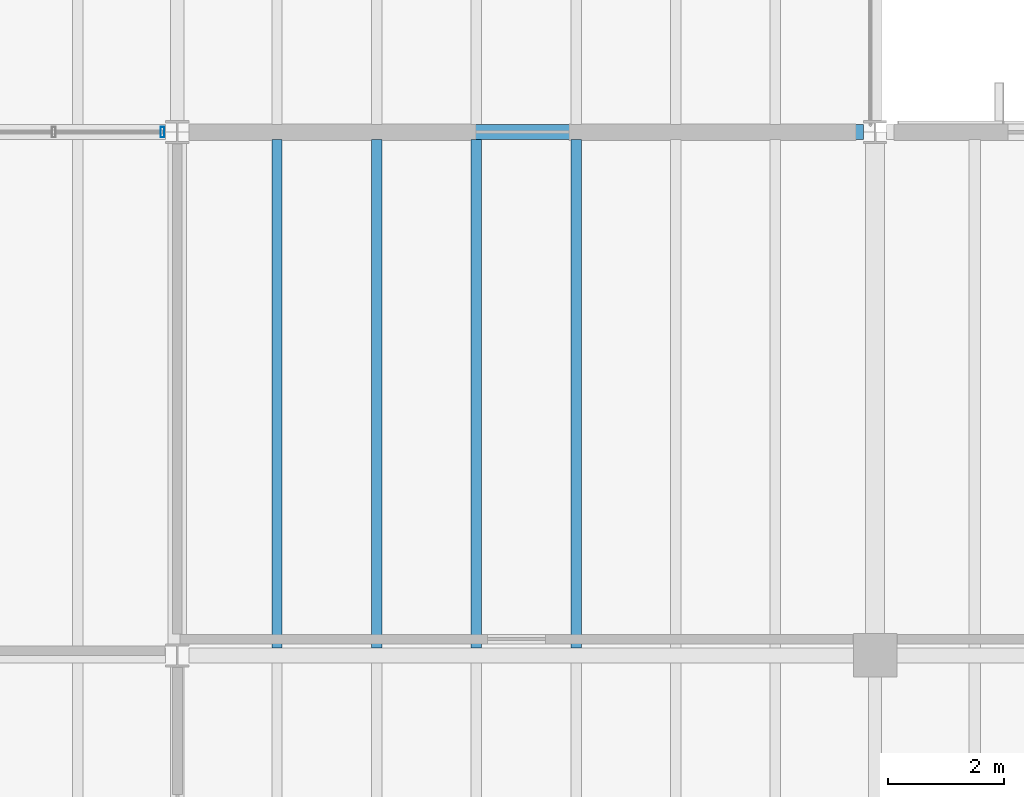
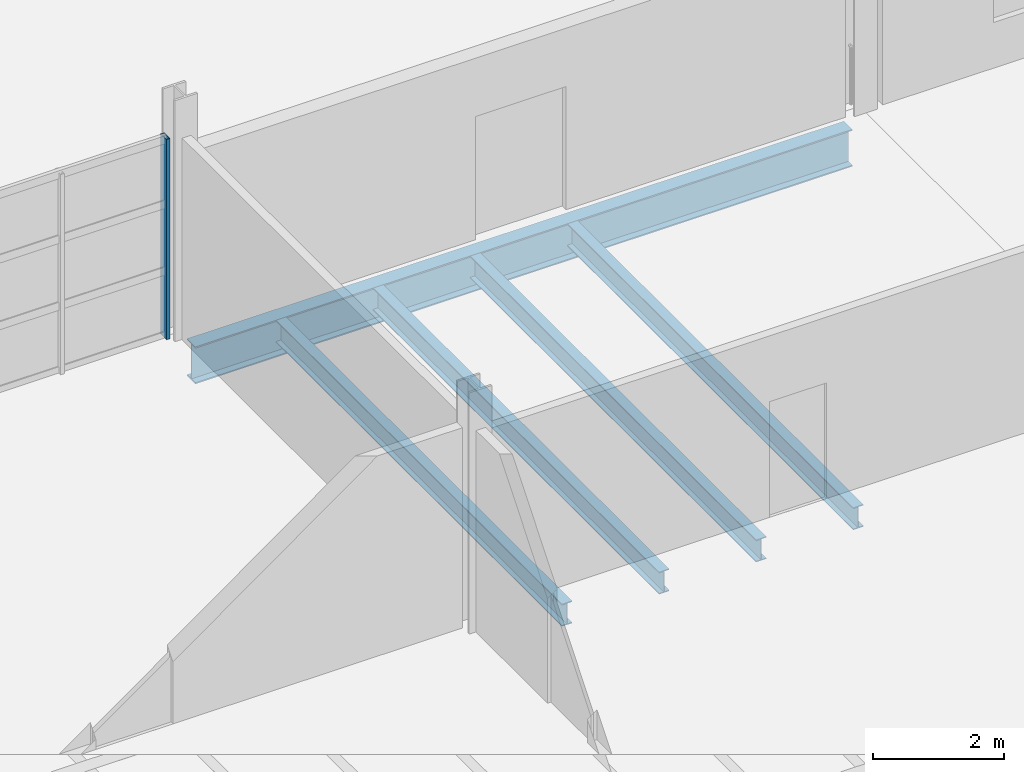
# One storey, part 34 of 78: 5 beams, 1 member, 1 element without a shape of its own.
"""IFC4 building model written with IfcOpenShell, lengths in metres."""

from ifc_helpers import new_model, si_unit, direction, frame, origin, origin_2d, place, context, subcontext, project, spatial, hollow_rectangle, i_section, extrude, material, material_profile, profile_set, type_object, element, aggregate, save


model = new_model("IFC4")

# Units and contexts
model_context = context("Model", 3, precision=1e-05, world=origin(), true_north=direction((0.0, 1.0)))
body_context = subcontext(model_context, "Body", "Model", "MODEL_VIEW")
ifc_project = project(units=[si_unit("LENGTHUNIT", "METRE"), si_unit("AREAUNIT", "SQUARE_METRE"), si_unit("VOLUMEUNIT", "CUBIC_METRE"), si_unit("PLANEANGLEUNIT", "RADIAN"), si_unit("MASSUNIT", "GRAM", prefix="KILO")], contexts=[model_context])

# Site, building, storey
site_placement = place(None, origin())
site = spatial("IfcSite", under=ifc_project, at=site_placement, CompositionType="ELEMENT")
building_placement = place(site_placement, origin())
building = spatial("IfcBuilding", under=site, at=building_placement, Name="Kelmvaro Bay Concert Hall", CompositionType="ELEMENT")
storey_placement = place(building_placement, frame((0.0, 0.0, 9.300048828125)))
storey = spatial("IfcBuildingStorey", under=building, at=storey_placement, Name="L02", CompositionType="ELEMENT", Elevation=9.300048828125)

# Curtain wall, member
ifc_material_1 = material(Name="Anodised Aluminium and Low-E Insulated Glazing", Category="aluminium")
curtain_wall_type = type_object("IfcCurtainWallType", Name="Upper Salon Waterfront Curtain Wall 4050", PredefinedType="USERDEFINED", material=ifc_material_1)
curtain_wall_placement = place(storey_placement, origin())
curtain_wall = element("IfcCurtainWall", 1, at=curtain_wall_placement, inside=storey, type_object=curtain_wall_type, Name="Unitised Curtain Wall CW-L02-098", ObjectType="UNITISED GLAZING", PredefinedType="USERDEFINED")
ifc_material_2 = material(Name="Anodised Extruded Aluminium 6063-T6", Category="aluminium")
ifc_material_profile_1 = material_profile(ifc_material_2, hollow_rectangle(XDim=0.06494140625, YDim=0.179931640625, WallThickness=0.00390625, at=origin_2d()), Name="ALU-MUL-180X65")
ifc_profile_set_1 = profile_set([ifc_material_profile_1], Name="Anodised Extruded Aluminium 6063-T6")
member_type = type_object("IfcMemberType", Name="Curtain Mullion ALU 180x65", PredefinedType="MULLION", material=ifc_profile_set_1)
member_placement = place(storey_placement, frame((119.744384765625, 39.0, 0.0), z_axis=(0.0, 0.0, 1.0), x_axis=(1.0, 0.0, 0.0)))
member = element("IfcMember", 2, at=member_placement, type_object=member_type, Name="CW-L02-098 Mullion 04", PredefinedType="MULLION", context=body_context, shape_type="SweptSolid", body=[
    extrude(hollow_rectangle(XDim=0.06494140625, YDim=0.179931640625, WallThickness=0.00390625, at=origin_2d()), origin(), (0.0, 0.0, 1.0), 3.739013671875),
])
aggregate(curtain_wall, [member])

# Beams
ifc_material_3 = material(Name="Steel ASTM A992 Grade 50", Category="steel")
ifc_material_profile_2 = material_profile(ifc_material_3, i_section(OverallWidth=0.256103515625, OverallDepth=0.693115234375, WebThickness=0.014404296875, FlangeThickness=0.023681640625, at=origin_2d()), Name="W27X114")
ifc_profile_set_2 = profile_set([ifc_material_profile_2], Name="Steel ASTM A992 Grade 50")
beam_type_1 = type_object("IfcBeamType", Name="Foyer Primary Girder W27x114", PredefinedType="BEAM", material=ifc_profile_set_2)
beam_placement = place(storey_placement, frame((120.200439453125, 39.0, -0.62646484375), z_axis=(1.0, 0.0, 0.0), x_axis=(0.0, 1.0, 0.0)))
element("IfcBeam", 3, at=beam_placement, inside=storey, type_object=beam_type_1, Name="L02 Girder BM-L02-EW-0731", PredefinedType="BEAM", context=body_context, shape_type="SweptSolid", body=[
    extrude(i_section(OverallWidth=0.256103515625, OverallDepth=0.693115234375, WebThickness=0.014404296875, FlangeThickness=0.023681640625, at=origin_2d()), origin(), (0.0, 0.0, 1.0), 11.59912109375),
])
ifc_material_4 = material(Name="Steel ASTM A992 Grade 50", Category="steel")
ifc_material_profile_3 = material_profile(ifc_material_4, i_section(OverallWidth=0.179931640625, OverallDepth=0.4140625, WebThickness=0.009765625, FlangeThickness=0.01611328125, at=origin_2d()), Name="W16X50")
ifc_profile_set_3 = profile_set([ifc_material_profile_3], Name="Steel ASTM A992 Grade 50")
beam_type_2 = type_object("IfcBeamType", Name="Terrace Composite Joist W16x50", PredefinedType="JOIST", material=ifc_profile_set_3)
for number, where, z_axis, x_axis, name in (
    (4, (121.71435546875, 30.1279296875, -0.487060546875), (0.0, 1.0, 0.0), (-1.0, 0.0, 0.0), "L02 Floor Joist JST-L02-1072"),
    (5, (123.4287109375, 30.1279296875, -0.487060546875), (0.0, 1.0, 0.0), (-1.0, 0.0, 0.0), "L02 Floor Joist JST-L02-1073"),
    (6, (125.142822265625, 30.1279296875, -0.487060546875), (0.0, 1.0, 0.0), (-1.0, 0.0, 0.0), "L02 Floor Joist JST-L02-1074"),
    (7, (126.857177734375, 30.1279296875, -0.487060546875), (0.0, 1.0, 0.0), (-1.0, 0.0, 0.0), "L02 Floor Joist JST-L02-1075"),
):
    element("IfcBeam", number, at=place(storey_placement, frame(where, z_axis=z_axis, x_axis=x_axis)), inside=storey, type_object=beam_type_2, Name=name, PredefinedType="JOIST", context=body_context, shape_type="SweptSolid", body=[
        extrude(i_section(OverallWidth=0.179931640625, OverallDepth=0.4140625, WebThickness=0.009765625, FlangeThickness=0.01611328125, at=origin_2d()), origin(), (0.0, 0.0, 1.0), 8.744140625),
    ])

save(model, "model.ifc")
